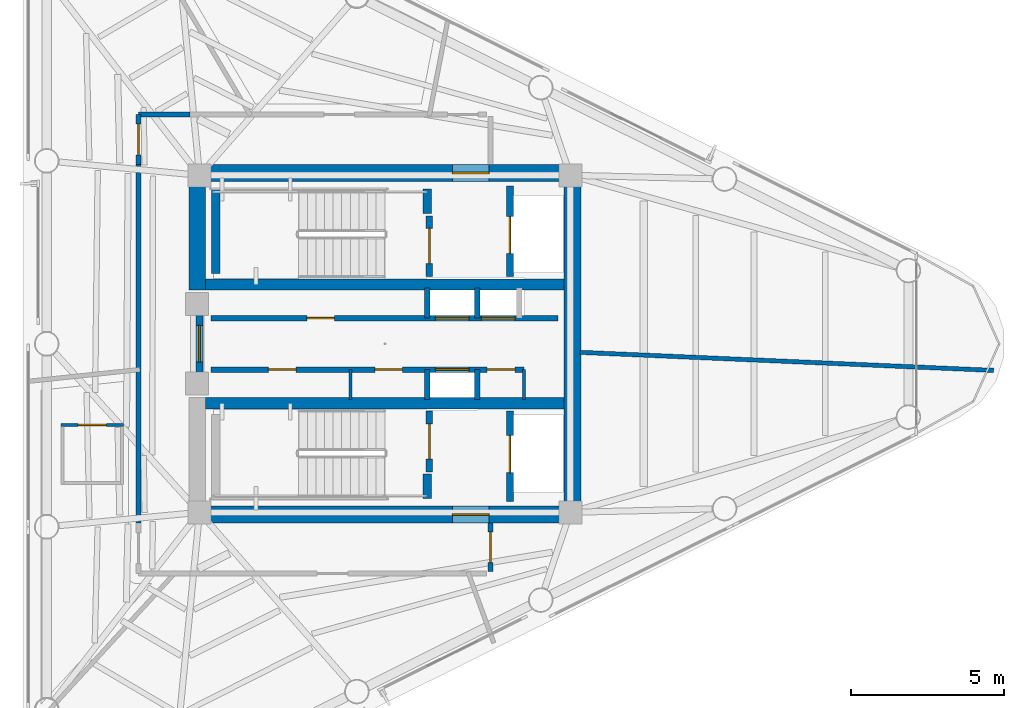
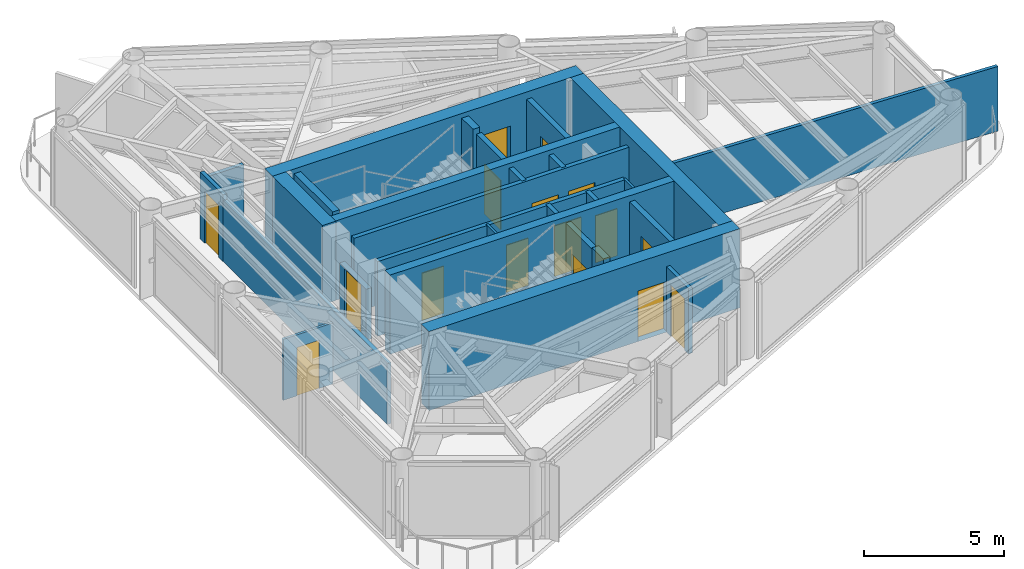
# One storey, part 5 of 10: 28 walls, 17 doors, 17 openings.
"""IFC4 building model written with IfcOpenShell, lengths in metres."""

from ifc_helpers import new_model, si_unit, direction, frame, frame_2d, origin, place, context, subcontext, project, spatial, rectangle, extrude, material, layer, layer_set, type_object, element, fill, save


model = new_model("IFC4")

# Units and contexts
model_context = context("Model", 3, precision=1e-05, world=origin(), true_north=direction((0.0, 1.0)))
body_context = subcontext(model_context, "Body", "Model", "MODEL_VIEW")
ifc_project = project(units=[si_unit("LENGTHUNIT", "METRE"), si_unit("AREAUNIT", "SQUARE_METRE"), si_unit("VOLUMEUNIT", "CUBIC_METRE"), si_unit("PLANEANGLEUNIT", "RADIAN"), si_unit("MASSUNIT", "GRAM", prefix="KILO")], contexts=[model_context])

# Site, building, storey
site_placement = place(None, origin())
site = spatial("IfcSite", under=ifc_project, at=site_placement, CompositionType="ELEMENT")
building_placement = place(site_placement, origin())
building = spatial("IfcBuilding", under=site, at=building_placement, Name="Yunling Apex Tower", CompositionType="ELEMENT")
storey_placement = place(building_placement, frame((0.0, 0.0, 310.550048828125)))
storey = spatial("IfcBuildingStorey", under=building, at=storey_placement, Name="L76", CompositionType="ELEMENT", Elevation=310.550048828125)

# Wall, opening, door
ifc_material_1 = material(Name="Concrete C40", Category="concrete")
ifc_layer_1 = layer(ifc_material_1, 0.550048828125)
ifc_layer_set_1 = layer_set([ifc_layer_1], Name="Concrete C40")
wall_type_1 = type_object("IfcWallType", Name="WL-COR-3", PredefinedType="SHEAR", material=ifc_layer_set_1)
wall_1_placement = place(storey_placement, frame((-6.39990234375, 5.574951171875, 0.0), z_axis=(0.0, 0.0, 1.0), x_axis=(1.0, 0.0, 0.0)))
wall_1 = element("IfcWall", 1, at=wall_1_placement, inside=storey, type_object=wall_type_1, Name="L76 North Core Shear Wall", PredefinedType="SHEAR", context=body_context, shape_type="SweptSolid", body=[
    extrude(rectangle(XDim=12.7998046875, YDim=0.550048828125, at=frame_2d((6.39990234375, 0.0))), origin(), (0.0, 0.0, 1.0), 3.449951171875),
])
opening_1_placement = place(wall_1_placement, frame((8.60009765625, 0.0, 0.0)))
opening_1 = element("IfcOpeningElement", 2, at=opening_1_placement, cuts=wall_1, Name="Opening DR-FFL-1", PredefinedType="OPENING", context=body_context, shape_type="SweptSolid", body=[
    extrude(rectangle(XDim=1.199951171875, YDim=2.199951171875, at=frame_2d((0.60009765625, 1.10009765625))), frame((0.0, 0.28515625, 0.0), z_axis=(0.0, -1.0, 0.0), x_axis=(1.0, 0.0, 0.0)), (0.0, 0.0, 1.0), 0.570068359375),
])
ifc_material_2 = material(Name="Steel Q355B", Category="steel")
door_type_1 = type_object("IfcDoorType", Name="DR-FFL-1", OperationType="NOTDEFINED", PredefinedType="DOOR", material=ifc_material_2)
door_1_placement = place(opening_1_placement, origin())
door_1 = element("IfcDoor", 3, at=door_1_placement, inside=storey, type_object=door_type_1, Name="L76 North Firefighting Lobby Door", OperationType="SINGLE_SWING_LEFT", OverallHeight=2.199951171875, OverallWidth=1.199951171875, PredefinedType="DOOR", context=body_context, shape_type="SweptSolid", body=[
    extrude(rectangle(XDim=1.199951171875, YDim=2.199951171875, at=frame_2d((0.60009765625, 1.10009765625))), frame((0.0, 0.02490234375, 0.0), z_axis=(0.0, -1.0, 0.0), x_axis=(1.0, 0.0, 0.0)), (0.0, 0.0, 1.0), 0.050048828125),
])
fill(opening_1, door_1)

wall_2_placement = place(storey_placement, frame((-6.39990234375, -5.574951171875, 0.0), z_axis=(0.0, 0.0, 1.0), x_axis=(1.0, 0.0, 0.0)))
wall_2 = element("IfcWall", 4, at=wall_2_placement, inside=storey, type_object=wall_type_1, Name="L76 South Core Shear Wall", PredefinedType="SHEAR", context=body_context, shape_type="SweptSolid", body=[
    extrude(rectangle(XDim=12.7998046875, YDim=0.550048828125, at=frame_2d((6.39990234375, 0.0))), origin(), (0.0, 0.0, 1.0), 3.449951171875),
])
opening_2_placement = place(wall_2_placement, frame((8.60009765625, 0.0, 0.0)))
opening_2 = element("IfcOpeningElement", 5, at=opening_2_placement, cuts=wall_2, Name="Opening DR-FFL-1", PredefinedType="OPENING", context=body_context, shape_type="SweptSolid", body=[
    extrude(rectangle(XDim=1.199951171875, YDim=2.199951171875, at=frame_2d((0.60009765625, 1.10009765625))), frame((0.0, 0.28515625, 0.0), z_axis=(0.0, -1.0, 0.0), x_axis=(1.0, 0.0, 0.0)), (0.0, 0.0, 1.0), 0.570068359375),
])
door_2_placement = place(opening_2_placement, origin())
door_2 = element("IfcDoor", 6, at=door_2_placement, inside=storey, type_object=door_type_1, Name="L76 South Firefighting Lobby Door", OperationType="SINGLE_SWING_RIGHT", OverallHeight=2.199951171875, OverallWidth=1.199951171875, PredefinedType="DOOR", context=body_context, shape_type="SweptSolid", body=[
    extrude(rectangle(XDim=1.199951171875, YDim=2.199951171875, at=frame_2d((0.60009765625, 1.10009765625))), frame((0.0, 0.02490234375, 0.0), z_axis=(0.0, -1.0, 0.0), x_axis=(1.0, 0.0, 0.0)), (0.0, 0.0, 1.0), 0.050048828125),
])
fill(opening_2, door_2)

# Walls
wall_3_placement = place(storey_placement, frame((6.125, -5.300048828125, 0.0), z_axis=(0.0, 0.0, 1.0), x_axis=(0.0, 1.0, 0.0)))
element("IfcWall", 7, at=wall_3_placement, inside=storey, type_object=wall_type_1, Name="L76 East Core Shear Wall", PredefinedType="SHEAR", context=body_context, shape_type="SweptSolid", body=[
    extrude(rectangle(XDim=10.60009765625, YDim=0.550048828125, at=frame_2d((5.300048828125, 0.0))), origin(), (0.0, 0.0, 1.0), 3.449951171875),
])
wall_4_placement = place(storey_placement, frame((-6.125, 1.75, 0.0), z_axis=(0.0, 0.0, 1.0), x_axis=(0.0, 1.0, 0.0)))
element("IfcWall", 8, at=wall_4_placement, inside=storey, type_object=wall_type_1, Name="L76 West-North Core Shear Wall", PredefinedType="SHEAR", context=body_context, shape_type="SweptSolid", body=[
    extrude(rectangle(XDim=3.550048828125, YDim=0.550048828125, at=frame_2d((1.77490234375, 0.0))), origin(), (0.0, 0.0, 1.0), 3.449951171875),
])
ifc_layer_2 = layer(ifc_material_1, 0.360107421875)
ifc_layer_set_2 = layer_set([ifc_layer_2], Name="Concrete C40")
wall_type_2 = type_object("IfcWallType", Name="WL-COR-4", PredefinedType="SHEAR", material=ifc_layer_set_2)
for number, where, z_axis, x_axis, name in (
    (9, (-5.85009765625, 1.93994140625, 0.0), (0.0, 0.0, 1.0), (1.0, 0.0, 0.0), "L76 North Internal Core Shear Wall"),
    (10, (-5.85009765625, -1.93994140625, 0.0), (0.0, 0.0, 1.0), (1.0, 0.0, 0.0), "L76 South Internal Core Shear Wall"),
):
    element("IfcWall", number, at=place(storey_placement, frame(where, z_axis=z_axis, x_axis=x_axis)), inside=storey, type_object=wall_type_2, Name=name, PredefinedType="SHEAR", context=body_context, shape_type="SweptSolid", body=[
        extrude(rectangle(XDim=11.7001953125, YDim=0.360107421875, at=frame_2d((5.85009765625, 0.0))), origin(), (0.0, 0.0, 1.0), 3.449951171875),
    ])
ifc_layer_3 = layer(ifc_material_1, 0.280029296875)
ifc_layer_set_3 = layer_set([ifc_layer_3], Name="Concrete C40")
wall_type_3 = type_object("IfcWallType", Name="WL-COR-8", PredefinedType="SHEAR", material=ifc_layer_set_3)
wall_5_placement = place(storey_placement, frame((-5.52001953125, 2.300048828125, 0.0), z_axis=(0.0, 0.0, 1.0), x_axis=(0.0, 1.0, 0.0)))
element("IfcWall", 11, at=wall_5_placement, inside=storey, type_object=wall_type_3, Name="L76 ST-1 West Landing Bearing Wall", PredefinedType="SHEAR", context=body_context, shape_type="SweptSolid", body=[
    extrude(rectangle(XDim=2.75, YDim=0.280029296875, at=frame_2d((1.375, 0.0))), origin(), (0.0, 0.0, 1.0), 3.449951171875),
])
for number, where, z_axis, x_axis, name in (
    (12, (1.3798828125, 4.25, 0.0), (0.0, 0.0, 1.0), (0.0, 1.0, 0.0), "L76 ST-1 East Landing Bearing Pier"),
    (13, (1.3798828125, -5.050048828125, 0.0), (0.0, 0.0, 1.0), (0.0, 1.0, 0.0), "L76 ST-2 East Landing Bearing Pier"),
):
    element("IfcWall", number, at=place(storey_placement, frame(where, z_axis=z_axis, x_axis=x_axis)), inside=storey, type_object=wall_type_3, Name=name, PredefinedType="SHEAR", context=body_context, shape_type="SweptSolid", body=[
        extrude(rectangle(XDim=0.800048828125, YDim=0.280029296875, at=frame_2d((0.39990234375, 0.0))), origin(), (0.0, 0.0, 1.0), 3.449951171875),
    ])

# Wall, opening, door
ifc_material_3 = material(Name="Gypsum board acoustic partition")
ifc_layer_4 = layer(ifc_material_3, 0.159912109375)
ifc_layer_set_4 = layer_set([ifc_layer_4], Name="Gypsum board acoustic partition")
wall_type_4 = type_object("IfcWallType", Name="WL-PRT-1", PredefinedType="PARTITIONING", material=ifc_layer_set_4)
wall_6_placement = place(storey_placement, frame((-8.0400390625, 5.85009765625, 0.0), z_axis=(0.0, 0.0, 1.0), x_axis=(0.0, 1.0, 0.0)))
wall_6 = element("IfcWall", 14, at=wall_6_placement, inside=storey, type_object=wall_type_4, Name="WL-CORR-L76-01", PredefinedType="PARTITIONING", context=body_context, shape_type="SweptSolid", body=[
    extrude(rectangle(XDim=1.639892578125, YDim=0.159912109375, at=frame_2d((0.81982421875, 0.0))), origin(), (0.0, 0.0, 1.0), 2.905029296875),
])
opening_3_placement = place(wall_6_placement, frame((0.320068359375, 0.0, 0.0)))
opening_3 = element("IfcOpeningElement", 15, at=opening_3_placement, cuts=wall_6, Name="Opening DR-OFF-1", PredefinedType="OPENING", context=body_context, shape_type="SweptSolid", body=[
    extrude(rectangle(XDim=1.0, YDim=2.25, at=frame_2d((0.5, 1.125))), frame((0.0, 0.08984375, 0.0), z_axis=(0.0, -1.0, 0.0), x_axis=(1.0, 0.0, 0.0)), (0.0, 0.0, 1.0), 0.179931640625),
])
ifc_material_4 = material(Name="Bronze anodised aluminium", Category="aluminium")
door_type_2 = type_object("IfcDoorType", Name="DR-OFF-1", OperationType="NOTDEFINED", PredefinedType="DOOR", material=ifc_material_4)
door_3_placement = place(opening_3_placement, origin())
door_3 = element("IfcDoor", 16, at=door_3_placement, inside=storey, type_object=door_type_2, Name="L76 Concierge Reception Foyer Door", OperationType="SINGLE_SWING_RIGHT", OverallHeight=2.25, OverallWidth=1.0, PredefinedType="DOOR", context=body_context, shape_type="SweptSolid", body=[
    extrude(rectangle(XDim=1.0, YDim=2.25, at=frame_2d((0.5, 1.125))), frame((0.0, 0.02490234375, 0.0), z_axis=(0.0, -1.0, 0.0), x_axis=(1.0, 0.0, 0.0)), (0.0, 0.0, 1.0), 0.050048828125),
])
fill(opening_3, door_3)

# Wall
wall_7_placement = place(storey_placement, frame((-8.0400390625, 7.489990234375, 0.0), z_axis=(0.0, 0.0, 1.0), x_axis=(1.0, 0.0, 0.0)))
element("IfcWall", 17, at=wall_7_placement, inside=storey, type_object=wall_type_4, Name="WL-CORR-L76-02", PredefinedType="PARTITIONING", context=body_context, shape_type="SweptSolid", body=[
    extrude(rectangle(XDim=1.679931640625, YDim=0.159912109375, at=frame_2d((0.83984375, 0.0))), origin(), (0.0, 0.0, 1.0), 2.655029296875),
])

# Wall, opening, door
wall_8_placement = place(storey_placement, frame((3.449951171875, -5.85009765625, 0.0), z_axis=(0.0, 0.0, 1.0), x_axis=(0.0, -1.0, 0.0)))
wall_8 = element("IfcWall", 18, at=wall_8_placement, inside=storey, type_object=wall_type_4, Name="WL-CORR-L76-05", PredefinedType="PARTITIONING", context=body_context, shape_type="SweptSolid", body=[
    extrude(rectangle(XDim=1.57470703125, YDim=0.159912109375, at=frame_2d((0.787353515625, 0.0))), origin(), (0.0, 0.0, 1.0), 2.85498046875),
])
opening_4_placement = place(wall_8_placement, frame((0.287353515625, 0.0, 0.0)))
opening_4 = element("IfcOpeningElement", 19, at=opening_4_placement, cuts=wall_8, Name="Opening DR-OFF-1", PredefinedType="OPENING", context=body_context, shape_type="SweptSolid", body=[
    extrude(rectangle(XDim=1.0, YDim=2.25, at=frame_2d((0.5, 1.125))), frame((0.0, 0.08984375, 0.0), z_axis=(0.0, -1.0, 0.0), x_axis=(1.0, 0.0, 0.0)), (0.0, 0.0, 1.0), 0.179931640625),
])
door_4_placement = place(opening_4_placement, origin())
door_4 = element("IfcDoor", 20, at=door_4_placement, inside=storey, type_object=door_type_2, Name="L76 Wellness Yoga Club Door", OperationType="SINGLE_SWING_LEFT", OverallHeight=2.25, OverallWidth=1.0, PredefinedType="DOOR", context=body_context, shape_type="SweptSolid", body=[
    extrude(rectangle(XDim=1.0, YDim=2.25, at=frame_2d((0.5, 1.125))), frame((0.0, 0.02490234375, 0.0), z_axis=(0.0, -1.0, 0.0), x_axis=(1.0, 0.0, 0.0)), (0.0, 0.0, 1.0), 0.050048828125),
])
fill(opening_4, door_4)

# Walls
wall_9_placement = place(storey_placement, frame((-8.0400390625, -5.85009765625, 0.0), z_axis=(0.0, 0.0, 1.0), x_axis=(0.0, 1.0, 0.0)))
element("IfcWall", 21, at=wall_9_placement, inside=storey, type_object=wall_type_4, Name="WL-CORR-L76-09", PredefinedType="PARTITIONING", context=body_context, shape_type="SweptSolid", body=[
    extrude(rectangle(XDim=11.7001953125, YDim=0.159912109375, at=frame_2d((5.85009765625, 0.0))), origin(), (0.0, 0.0, 1.0), 2.655029296875),
])
ifc_layer_5 = layer(ifc_material_3, 0.139892578125)
ifc_layer_set_5 = layer_set([ifc_layer_5], Name="Gypsum board acoustic partition")
wall_type_5 = type_object("IfcWallType", Name="WL-PRT-2", PredefinedType="PARTITIONING", material=ifc_layer_set_5)
wall_10_placement = place(storey_placement, frame((6.360107421875, -0.277587890625, 0.0), z_axis=(0.0, 0.0, 1.0), x_axis=(0.999047623791, -0.043633076864, 0.0)))
element("IfcWall", 22, at=wall_10_placement, inside=storey, type_object=wall_type_5, Name="WL-RAD-L76-01", PredefinedType="PARTITIONING", context=body_context, shape_type="SweptSolid", body=[
    extrude(rectangle(XDim=13.52392578125, YDim=0.139892578125, at=frame_2d((6.761962890625, 0.0))), origin(), (0.0, 0.0, 1.0), 2.81494140625),
])
ifc_layer_6 = layer(ifc_material_3, 0.10009765625)
ifc_layer_set_6 = layer_set([ifc_layer_6], Name="Gypsum board acoustic partition")
wall_type_6 = type_object("IfcWallType", Name="WL-PRT-4", PredefinedType="PARTITIONING", material=ifc_layer_set_6)
for number, where, z_axis, x_axis, name in (
    (23, (-1.1201171875, -1.820068359375, 0.0), (0.0, 0.0, 1.0), (0.0, 1.0, 0.0), "WL-RECLMA-S-L76"),
    (24, (4.5400390625, -1.820068359375, 0.0), (0.0, 0.0, 1.0), (0.0, 1.0, 0.0), "WL-KASE-E-L76"),
):
    element("IfcWall", number, at=place(storey_placement, frame(where, z_axis=z_axis, x_axis=x_axis)), inside=storey, type_object=wall_type_6, Name=name, PredefinedType="PARTITIONING", context=body_context, shape_type="SweptSolid", body=[
        extrude(rectangle(XDim=0.97998046875, YDim=0.10009765625, at=frame_2d((0.489990234375, 0.0))), origin(), (0.0, 0.0, 1.0), 3.25),
    ])

# Wall, opening, door
wall_11_placement = place(storey_placement, frame((-10.573974609375, -2.64404296875, 0.0), z_axis=(0.0, 0.0, 1.0), x_axis=(1.0, 0.0, 0.0)))
wall_11 = element("IfcWall", 25, at=wall_11_placement, inside=storey, type_object=wall_type_6, Name="WL-L76-RWC1N", PredefinedType="PARTITIONING", context=body_context, shape_type="SweptSolid", body=[
    extrude(rectangle(XDim=2.050048828125, YDim=0.10009765625, at=frame_2d((1.02490234375, 0.0))), origin(), (0.0, 0.0, 1.0), 2.655029296875),
])
opening_5_placement = place(wall_11_placement, frame((0.56494140625, 0.0, 0.0)))
opening_5 = element("IfcOpeningElement", 26, at=opening_5_placement, cuts=wall_11, Name="Opening DR-WC-1", PredefinedType="OPENING", context=body_context, shape_type="SweptSolid", body=[
    extrude(rectangle(XDim=0.919921875, YDim=2.10009765625, at=frame_2d((0.4599609375, 1.050048828125))), frame((0.0, 0.06005859375, 0.0), z_axis=(0.0, -1.0, 0.0), x_axis=(1.0, 0.0, 0.0)), (0.0, 0.0, 1.0), 0.1201171875),
])
ifc_material_5 = material(Name="Timber moisture-resistant leaf", Category="wood")
door_type_3 = type_object("IfcDoorType", Name="DR-WC-1", OperationType="NOTDEFINED", PredefinedType="DOOR", material=ifc_material_5)
door_5_placement = place(opening_5_placement, origin())
door_5 = element("IfcDoor", 27, at=door_5_placement, inside=storey, type_object=door_type_3, Name="L76 Accessible WC Door", OperationType="SINGLE_SWING_LEFT", OverallHeight=2.10009765625, OverallWidth=0.919921875, PredefinedType="DOOR", context=body_context, shape_type="SweptSolid", body=[
    extrude(rectangle(XDim=0.919921875, YDim=2.10009765625, at=frame_2d((0.4599609375, 1.050048828125))), frame((0.0, 0.02490234375, 0.0), z_axis=(0.0, -1.0, 0.0), x_axis=(1.0, 0.0, 0.0)), (0.0, 0.0, 1.0), 0.050048828125),
])
fill(opening_5, door_5)

ifc_material_6 = material(Name="Autoclaved aerated concrete masonry", Category="masonry")
ifc_layer_7 = layer(ifc_material_6, 0.219970703125)
ifc_layer_set_7 = layer_set([ifc_layer_7], Name="Autoclaved aerated concrete masonry")
wall_type_7 = type_object("IfcWallType", Name="WL-SHF-1", PredefinedType="PLUMBINGWALL", material=ifc_layer_set_7)
wall_12_placement = place(storey_placement, frame((-6.050048828125, -0.949951171875, 0.0), z_axis=(0.0, 0.0, 1.0), x_axis=(0.0, 1.0, 0.0)))
wall_12 = element("IfcWall", 28, at=wall_12_placement, inside=storey, type_object=wall_type_7, Name="WL-COR-WPORT-L76", PredefinedType="PLUMBINGWALL", context=body_context, shape_type="SweptSolid", body=[
    extrude(rectangle(XDim=1.89990234375, YDim=0.219970703125, at=frame_2d((0.949951171875, 0.0))), origin(), (0.0, 0.0, 1.0), 2.22998046875),
])
opening_6_placement = place(wall_12_placement, frame((0.35009765625, 0.0, 0.0)))
opening_6 = element("IfcOpeningElement", 29, at=opening_6_placement, cuts=wall_12, Name="Opening DR-FFL-1", PredefinedType="OPENING", context=body_context, shape_type="SweptSolid", body=[
    extrude(rectangle(XDim=1.199951171875, YDim=2.199951171875, at=frame_2d((0.60009765625, 1.10009765625))), frame((0.0, 0.1201171875, 0.0), z_axis=(0.0, -1.0, 0.0), x_axis=(1.0, 0.0, 0.0)), (0.0, 0.0, 1.0), 0.239990234375),
])
door_6_placement = place(opening_6_placement, origin())
door_6 = element("IfcDoor", 30, at=door_6_placement, inside=storey, type_object=door_type_1, Name="L76 Passenger Lift Lobby Entrance Door", OperationType="SINGLE_SWING_RIGHT", OverallHeight=2.199951171875, OverallWidth=1.199951171875, PredefinedType="DOOR", context=body_context, shape_type="SweptSolid", body=[
    extrude(rectangle(XDim=1.199951171875, YDim=2.199951171875, at=frame_2d((0.60009765625, 1.10009765625))), frame((0.0, 0.02490234375, 0.0), z_axis=(0.0, -1.0, 0.0), x_axis=(1.0, 0.0, 0.0)), (0.0, 0.0, 1.0), 0.050048828125),
])
fill(opening_6, door_6)

wall_13_placement = place(storey_placement, frame((1.449951171875, 2.199951171875, 0.0), z_axis=(0.0, 0.0, 1.0), x_axis=(0.0, 1.0, 0.0)))
wall_13 = element("IfcWall", 31, at=wall_13_placement, inside=storey, type_object=wall_type_7, Name="WL-ST1-E-L76", PredefinedType="PLUMBINGWALL", context=body_context, shape_type="SweptSolid", body=[
    extrude(rectangle(XDim=1.97998046875, YDim=0.219970703125, at=frame_2d((0.989990234375, 0.0))), origin(), (0.0, 0.0, 1.0), 3.25),
])
opening_7_placement = place(wall_13_placement, frame((0.419921875, 0.0, 0.0)))
opening_7 = element("IfcOpeningElement", 32, at=opening_7_placement, cuts=wall_13, Name="Opening DR-ST-1", PredefinedType="OPENING", context=body_context, shape_type="SweptSolid", body=[
    extrude(rectangle(XDim=1.14990234375, YDim=2.14990234375, at=frame_2d((0.574951171875, 1.074951171875))), frame((0.0, 0.1201171875, 0.0), z_axis=(0.0, -1.0, 0.0), x_axis=(1.0, 0.0, 0.0)), (0.0, 0.0, 1.0), 0.239990234375),
])
door_type_4 = type_object("IfcDoorType", Name="DR-ST-1", OperationType="NOTDEFINED", PredefinedType="DOOR", material=ifc_material_2)
door_7_placement = place(opening_7_placement, origin())
door_7 = element("IfcDoor", 33, at=door_7_placement, inside=storey, type_object=door_type_4, Name="L76 Stair ST-1 Fire Door", OperationType="SINGLE_SWING_LEFT", OverallHeight=2.14990234375, OverallWidth=1.14990234375, PredefinedType="DOOR", context=body_context, shape_type="SweptSolid", body=[
    extrude(rectangle(XDim=1.14990234375, YDim=2.14990234375, at=frame_2d((0.574951171875, 1.074951171875))), frame((0.0, 0.02490234375, 0.0), z_axis=(0.0, -1.0, 0.0), x_axis=(1.0, 0.0, 0.0)), (0.0, 0.0, 1.0), 0.050048828125),
])
fill(opening_7, door_7)

wall_14_placement = place(storey_placement, frame((4.080078125, 2.199951171875, 0.0), z_axis=(0.0, 0.0, 1.0), x_axis=(0.0, 1.0, 0.0)))
wall_14 = element("IfcWall", 34, at=wall_14_placement, inside=storey, type_object=wall_type_7, Name="WL-FFL1-W-L76", PredefinedType="PLUMBINGWALL", context=body_context, shape_type="SweptSolid", body=[
    extrude(rectangle(XDim=2.949951171875, YDim=0.219970703125, at=frame_2d((1.47509765625, 0.0))), origin(), (0.0, 0.0, 1.0), 3.25),
])
opening_8_placement = place(wall_14_placement, frame((0.75, 0.0, 0.0)))
opening_8 = element("IfcOpeningElement", 35, at=opening_8_placement, cuts=wall_14, Name="Opening LD-FFL-1", PredefinedType="OPENING", context=body_context, shape_type="SweptSolid", body=[
    extrude(rectangle(XDim=1.199951171875, YDim=2.25, at=frame_2d((0.60009765625, 1.125))), frame((0.0, 0.1201171875, 0.0), z_axis=(0.0, -1.0, 0.0), x_axis=(1.0, 0.0, 0.0)), (0.0, 0.0, 1.0), 0.239990234375),
])
door_type_5 = type_object("IfcDoorType", Name="LD-FFL-1", OperationType="DOUBLE_DOOR_SLIDING", PredefinedType="DOOR", material=ifc_material_2)
door_8_placement = place(opening_8_placement, origin())
door_8 = element("IfcDoor", 36, at=door_8_placement, inside=storey, type_object=door_type_5, Name="L76 Lift FFL-1 Landing Door", OperationType="DOUBLE_DOOR_SLIDING", OverallHeight=2.25, OverallWidth=1.199951171875, PredefinedType="DOOR", context=body_context, shape_type="SweptSolid", body=[
    extrude(rectangle(XDim=1.199951171875, YDim=2.25, at=frame_2d((0.60009765625, 1.125))), frame((0.0, 0.02490234375, 0.0), z_axis=(0.0, -1.0, 0.0), x_axis=(1.0, 0.0, 0.0)), (0.0, 0.0, 1.0), 0.050048828125),
])
fill(opening_8, door_8)

wall_15_placement = place(storey_placement, frame((1.449951171875, -4.179931640625, 0.0), z_axis=(0.0, 0.0, 1.0), x_axis=(0.0, 1.0, 0.0)))
wall_15 = element("IfcWall", 37, at=wall_15_placement, inside=storey, type_object=wall_type_7, Name="WL-ST2-E-L76", PredefinedType="PLUMBINGWALL", context=body_context, shape_type="SweptSolid", body=[
    extrude(rectangle(XDim=1.97998046875, YDim=0.219970703125, at=frame_2d((0.989990234375, 0.0))), origin(), (0.0, 0.0, 1.0), 3.25),
])
opening_9_placement = place(wall_15_placement, frame((0.419921875, 0.0, 0.0)))
opening_9 = element("IfcOpeningElement", 38, at=opening_9_placement, cuts=wall_15, Name="Opening DR-ST-1", PredefinedType="OPENING", context=body_context, shape_type="SweptSolid", body=[
    extrude(rectangle(XDim=1.14990234375, YDim=2.14990234375, at=frame_2d((0.574951171875, 1.074951171875))), frame((0.0, 0.1201171875, 0.0), z_axis=(0.0, -1.0, 0.0), x_axis=(1.0, 0.0, 0.0)), (0.0, 0.0, 1.0), 0.239990234375),
])
door_9_placement = place(opening_9_placement, origin())
door_9 = element("IfcDoor", 39, at=door_9_placement, inside=storey, type_object=door_type_4, Name="L76 Stair ST-2 Fire Door", OperationType="SINGLE_SWING_RIGHT", OverallHeight=2.14990234375, OverallWidth=1.14990234375, PredefinedType="DOOR", context=body_context, shape_type="SweptSolid", body=[
    extrude(rectangle(XDim=1.14990234375, YDim=2.14990234375, at=frame_2d((0.574951171875, 1.074951171875))), frame((0.0, 0.02490234375, 0.0), z_axis=(0.0, -1.0, 0.0), x_axis=(1.0, 0.0, 0.0)), (0.0, 0.0, 1.0), 0.050048828125),
])
fill(opening_9, door_9)

wall_16_placement = place(storey_placement, frame((4.080078125, -5.14990234375, 0.0), z_axis=(0.0, 0.0, 1.0), x_axis=(0.0, 1.0, 0.0)))
wall_16 = element("IfcWall", 40, at=wall_16_placement, inside=storey, type_object=wall_type_7, Name="WL-FFL2-W-L76", PredefinedType="PLUMBINGWALL", context=body_context, shape_type="SweptSolid", body=[
    extrude(rectangle(XDim=2.949951171875, YDim=0.219970703125, at=frame_2d((1.47509765625, 0.0))), origin(), (0.0, 0.0, 1.0), 3.25),
])
opening_10_placement = place(wall_16_placement, frame((0.949951171875, 0.0, 0.0)))
opening_10 = element("IfcOpeningElement", 41, at=opening_10_placement, cuts=wall_16, Name="Opening LD-FFL-1", PredefinedType="OPENING", context=body_context, shape_type="SweptSolid", body=[
    extrude(rectangle(XDim=1.199951171875, YDim=2.25, at=frame_2d((0.60009765625, 1.125))), frame((0.0, 0.1201171875, 0.0), z_axis=(0.0, -1.0, 0.0), x_axis=(1.0, 0.0, 0.0)), (0.0, 0.0, 1.0), 0.239990234375),
])
door_10_placement = place(opening_10_placement, origin())
door_10 = element("IfcDoor", 42, at=door_10_placement, inside=storey, type_object=door_type_5, Name="L76 Lift FFL-2 Landing Door", OperationType="DOUBLE_DOOR_SLIDING", OverallHeight=2.25, OverallWidth=1.199951171875, PredefinedType="DOOR", context=body_context, shape_type="SweptSolid", body=[
    extrude(rectangle(XDim=1.199951171875, YDim=2.25, at=frame_2d((0.60009765625, 1.125))), frame((0.0, 0.02490234375, 0.0), z_axis=(0.0, -1.0, 0.0), x_axis=(1.0, 0.0, 0.0)), (0.0, 0.0, 1.0), 0.050048828125),
])
fill(opening_10, door_10)

# Walls
ifc_layer_8 = layer(ifc_material_6, 0.179931640625)
ifc_layer_set_8 = layer_set([ifc_layer_8], Name="Autoclaved aerated concrete masonry")
wall_type_8 = type_object("IfcWallType", Name="WL-SHF-2", PredefinedType="PLUMBINGWALL", material=ifc_layer_set_8)
for number, where, z_axis, x_axis, name in (
    (43, (1.3798828125, 0.840087890625, 0.0), (0.0, 0.0, 1.0), (0.0, 1.0, 0.0), "WL-BNK-MH-N-L76"),
    (44, (1.3798828125, -1.820068359375, 0.0), (0.0, 0.0, 1.0), (0.0, 1.0, 0.0), "WL-BNK-MH-S-L76"),
    (45, (3.02001953125, 0.840087890625, 0.0), (0.0, 0.0, 1.0), (0.0, 1.0, 0.0), "WL-DIV-H13-L76"),
    (46, (3.02001953125, -1.820068359375, 0.0), (0.0, 0.0, 1.0), (0.0, 1.0, 0.0), "WL-END-H2E-L76"),
):
    element("IfcWall", number, at=place(storey_placement, frame(where, z_axis=z_axis, x_axis=x_axis)), inside=storey, type_object=wall_type_8, Name=name, PredefinedType="PLUMBINGWALL", context=body_context, shape_type="SweptSolid", body=[
        extrude(rectangle(XDim=0.97998046875, YDim=0.179931640625, at=frame_2d((0.489990234375, 0.0))), origin(), (0.0, 0.0, 1.0), 3.25),
    ])

# Wall, openings, doors
wall_17_placement = place(storey_placement, frame((-5.679931640625, 0.840087890625, 0.0), z_axis=(0.0, 0.0, 1.0), x_axis=(1.0, 0.0, 0.0)))
wall_17 = element("IfcWall", 47, at=wall_17_placement, inside=storey, type_object=wall_type_8, Name="WL-LOB-N-L76", PredefinedType="PLUMBINGWALL", context=body_context, shape_type="SweptSolid", body=[
    extrude(rectangle(XDim=11.329833984375, YDim=0.179931640625, at=frame_2d((5.6650390625, 0.0))), origin(), (0.0, 0.0, 1.0), 3.25),
])
opening_11_placement = place(wall_17_placement, frame((3.1298828125, 0.0, 0.0)))
opening_11 = element("IfcOpeningElement", 48, at=opening_11_placement, cuts=wall_17, Name="Opening DR-SHF-1", PredefinedType="OPENING", context=body_context, shape_type="SweptSolid", body=[
    extrude(rectangle(XDim=0.89990234375, YDim=2.050048828125, at=frame_2d((0.449951171875, 1.02490234375))), frame((0.0, 0.10009765625, 0.0), z_axis=(0.0, -1.0, 0.0), x_axis=(1.0, 0.0, 0.0)), (0.0, 0.0, 1.0), 0.199951171875),
])
opening_12_placement = place(wall_17_placement, frame((7.330078125, 0.0, 0.0)))
opening_12 = element("IfcOpeningElement", 49, at=opening_12_placement, cuts=wall_17, Name="Opening LD-PAS-1", PredefinedType="OPENING", context=body_context, shape_type="SweptSolid", body=[
    extrude(rectangle(XDim=1.10009765625, YDim=2.199951171875, at=frame_2d((0.550048828125, 1.10009765625))), frame((0.0, 0.10009765625, 0.0), z_axis=(0.0, -1.0, 0.0), x_axis=(1.0, 0.0, 0.0)), (0.0, 0.0, 1.0), 0.199951171875),
])
opening_13_placement = place(wall_17_placement, frame((8.830078125, 0.0, 0.0)))
opening_13 = element("IfcOpeningElement", 50, at=opening_13_placement, cuts=wall_17, Name="Opening LD-PAS-1", PredefinedType="OPENING", context=body_context, shape_type="SweptSolid", body=[
    extrude(rectangle(XDim=1.10009765625, YDim=2.199951171875, at=frame_2d((0.550048828125, 1.10009765625))), frame((0.0, 0.10009765625, 0.0), z_axis=(0.0, -1.0, 0.0), x_axis=(1.0, 0.0, 0.0)), (0.0, 0.0, 1.0), 0.199951171875),
])
door_type_6 = type_object("IfcDoorType", Name="DR-SHF-1", OperationType="NOTDEFINED", PredefinedType="DOOR", material=ifc_material_2)
door_11_placement = place(opening_11_placement, origin())
door_11 = element("IfcDoor", 51, at=door_11_placement, inside=storey, type_object=door_type_6, Name="L76 Archive Store Door", OperationType="SINGLE_SWING_LEFT", OverallHeight=2.050048828125, OverallWidth=0.89990234375, PredefinedType="DOOR", context=body_context, shape_type="SweptSolid", body=[
    extrude(rectangle(XDim=0.89990234375, YDim=2.050048828125, at=frame_2d((0.449951171875, 1.02490234375))), frame((0.0, 0.02490234375, 0.0), z_axis=(0.0, -1.0, 0.0), x_axis=(1.0, 0.0, 0.0)), (0.0, 0.0, 1.0), 0.050048828125),
])
fill(opening_11, door_11)
ifc_material_7 = material(Name="Silver anodised aluminium", Category="aluminium")
door_type_7 = type_object("IfcDoorType", Name="LD-PAS-1", OperationType="DOUBLE_DOOR_SLIDING", PredefinedType="DOOR", material=ifc_material_7)
door_12_placement = place(opening_12_placement, origin())
door_12 = element("IfcDoor", 52, at=door_12_placement, inside=storey, type_object=door_type_7, Name="L76 Lift PL-H1 Landing Door", OperationType="DOUBLE_DOOR_SLIDING", OverallHeight=2.199951171875, OverallWidth=1.10009765625, PredefinedType="DOOR", context=body_context, shape_type="SweptSolid", body=[
    extrude(rectangle(XDim=1.10009765625, YDim=2.199951171875, at=frame_2d((0.550048828125, 1.10009765625))), frame((0.0, 0.02490234375, 0.0), z_axis=(0.0, -1.0, 0.0), x_axis=(1.0, 0.0, 0.0)), (0.0, 0.0, 1.0), 0.050048828125),
])
fill(opening_12, door_12)
door_13_placement = place(opening_13_placement, origin())
door_13 = element("IfcDoor", 53, at=door_13_placement, inside=storey, type_object=door_type_7, Name="L76 Lift PL-H3 Landing Door", OperationType="DOUBLE_DOOR_SLIDING", OverallHeight=2.199951171875, OverallWidth=1.10009765625, PredefinedType="DOOR", context=body_context, shape_type="SweptSolid", body=[
    extrude(rectangle(XDim=1.10009765625, YDim=2.199951171875, at=frame_2d((0.550048828125, 1.10009765625))), frame((0.0, 0.02490234375, 0.0), z_axis=(0.0, -1.0, 0.0), x_axis=(1.0, 0.0, 0.0)), (0.0, 0.0, 1.0), 0.050048828125),
])
fill(opening_13, door_13)

wall_18_placement = place(storey_placement, frame((-5.679931640625, -0.840087890625, 0.0), z_axis=(0.0, 0.0, 1.0), x_axis=(1.0, 0.0, 0.0)))
wall_18 = element("IfcWall", 54, at=wall_18_placement, inside=storey, type_object=wall_type_8, Name="WL-LOB-S-L76", PredefinedType="PLUMBINGWALL", context=body_context, shape_type="SweptSolid", body=[
    extrude(rectangle(XDim=10.219970703125, YDim=0.179931640625, at=frame_2d((5.10986328125, 0.0))), origin(), (0.0, 0.0, 1.0), 3.25),
])
opening_14_placement = place(wall_18_placement, frame((1.8798828125, 0.0, 0.0)))
opening_14 = element("IfcOpeningElement", 55, at=opening_14_placement, cuts=wall_18, Name="Opening DR-SHF-1", PredefinedType="OPENING", context=body_context, shape_type="SweptSolid", body=[
    extrude(rectangle(XDim=0.89990234375, YDim=2.050048828125, at=frame_2d((0.449951171875, 1.02490234375))), frame((0.0, 0.10009765625, 0.0), z_axis=(0.0, -1.0, 0.0), x_axis=(1.0, 0.0, 0.0)), (0.0, 0.0, 1.0), 0.199951171875),
])
opening_15_placement = place(wall_18_placement, frame((5.35009765625, 0.0, 0.0)))
opening_15 = element("IfcOpeningElement", 56, at=opening_15_placement, cuts=wall_18, Name="Opening DR-SHF-1", PredefinedType="OPENING", context=body_context, shape_type="SweptSolid", body=[
    extrude(rectangle(XDim=0.89990234375, YDim=2.050048828125, at=frame_2d((0.449951171875, 1.02490234375))), frame((0.0, 0.10009765625, 0.0), z_axis=(0.0, -1.0, 0.0), x_axis=(1.0, 0.0, 0.0)), (0.0, 0.0, 1.0), 0.199951171875),
])
opening_16_placement = place(wall_18_placement, frame((7.330078125, 0.0, 0.0)))
opening_16 = element("IfcOpeningElement", 57, at=opening_16_placement, cuts=wall_18, Name="Opening LD-PAS-1", PredefinedType="OPENING", context=body_context, shape_type="SweptSolid", body=[
    extrude(rectangle(XDim=1.10009765625, YDim=2.199951171875, at=frame_2d((0.550048828125, 1.10009765625))), frame((0.0, 0.10009765625, 0.0), z_axis=(0.0, -1.0, 0.0), x_axis=(1.0, 0.0, 0.0)), (0.0, 0.0, 1.0), 0.199951171875),
])
opening_17_placement = place(wall_18_placement, frame((9.02001953125, 0.0, 0.0)))
opening_17 = element("IfcOpeningElement", 58, at=opening_17_placement, cuts=wall_18, Name="Opening DR-SHF-1", PredefinedType="OPENING", context=body_context, shape_type="SweptSolid", body=[
    extrude(rectangle(XDim=0.89990234375, YDim=2.050048828125, at=frame_2d((0.449951171875, 1.02490234375))), frame((0.0, 0.10009765625, 0.0), z_axis=(0.0, -1.0, 0.0), x_axis=(1.0, 0.0, 0.0)), (0.0, 0.0, 1.0), 0.199951171875),
])
door_14_placement = place(opening_14_placement, origin())
door_14 = element("IfcDoor", 59, at=door_14_placement, inside=storey, type_object=door_type_6, Name="L76 MEP Plant Door", OperationType="SINGLE_SWING_RIGHT", OverallHeight=2.050048828125, OverallWidth=0.89990234375, PredefinedType="DOOR", context=body_context, shape_type="SweptSolid", body=[
    extrude(rectangle(XDim=0.89990234375, YDim=2.050048828125, at=frame_2d((0.449951171875, 1.02490234375))), frame((0.0, 0.02490234375, 0.0), z_axis=(0.0, -1.0, 0.0), x_axis=(1.0, 0.0, 0.0)), (0.0, 0.0, 1.0), 0.050048828125),
])
fill(opening_14, door_14)
door_15_placement = place(opening_15_placement, origin())
door_15 = element("IfcDoor", 60, at=door_15_placement, inside=storey, type_object=door_type_6, Name="L76 Cleaners Store Door", OperationType="SINGLE_SWING_LEFT", OverallHeight=2.050048828125, OverallWidth=0.89990234375, PredefinedType="DOOR", context=body_context, shape_type="SweptSolid", body=[
    extrude(rectangle(XDim=0.89990234375, YDim=2.050048828125, at=frame_2d((0.449951171875, 1.02490234375))), frame((0.0, 0.02490234375, 0.0), z_axis=(0.0, -1.0, 0.0), x_axis=(1.0, 0.0, 0.0)), (0.0, 0.0, 1.0), 0.050048828125),
])
fill(opening_15, door_15)
door_16_placement = place(opening_17_placement, origin())
door_16 = element("IfcDoor", 61, at=door_16_placement, inside=storey, type_object=door_type_6, Name="L76 Core Electrical Room Door", OperationType="SINGLE_SWING_RIGHT", OverallHeight=2.050048828125, OverallWidth=0.89990234375, PredefinedType="DOOR", context=body_context, shape_type="SweptSolid", body=[
    extrude(rectangle(XDim=0.89990234375, YDim=2.050048828125, at=frame_2d((0.449951171875, 1.02490234375))), frame((0.0, 0.02490234375, 0.0), z_axis=(0.0, -1.0, 0.0), x_axis=(1.0, 0.0, 0.0)), (0.0, 0.0, 1.0), 0.050048828125),
])
fill(opening_17, door_16)
door_17_placement = place(opening_16_placement, origin())
door_17 = element("IfcDoor", 62, at=door_17_placement, inside=storey, type_object=door_type_7, Name="L76 Lift PL-H2 Landing Door", OperationType="DOUBLE_DOOR_SLIDING", OverallHeight=2.199951171875, OverallWidth=1.10009765625, PredefinedType="DOOR", context=body_context, shape_type="SweptSolid", body=[
    extrude(rectangle(XDim=1.10009765625, YDim=2.199951171875, at=frame_2d((0.550048828125, 1.10009765625))), frame((0.0, 0.02490234375, 0.0), z_axis=(0.0, -1.0, 0.0), x_axis=(1.0, 0.0, 0.0)), (0.0, 0.0, 1.0), 0.050048828125),
])
fill(opening_16, door_17)

save(model, "model.ifc")
